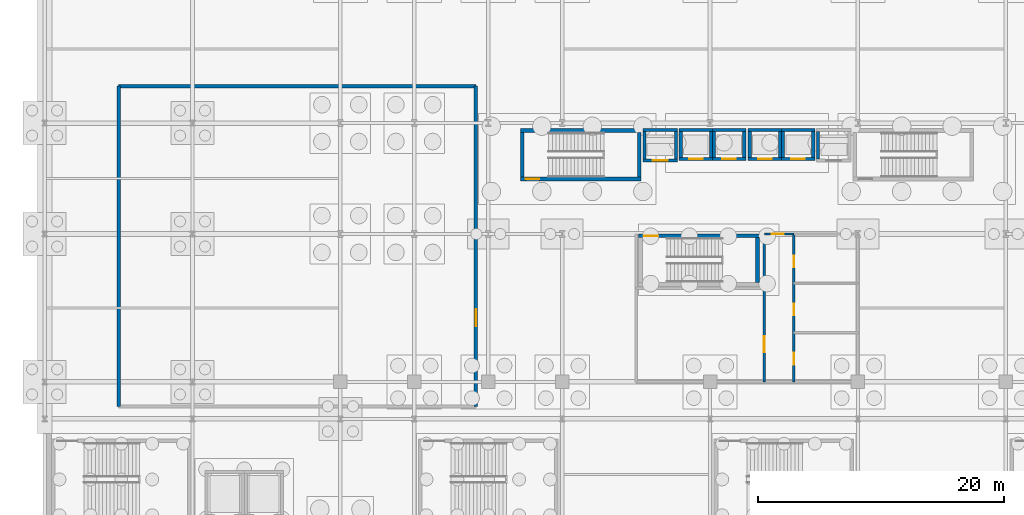
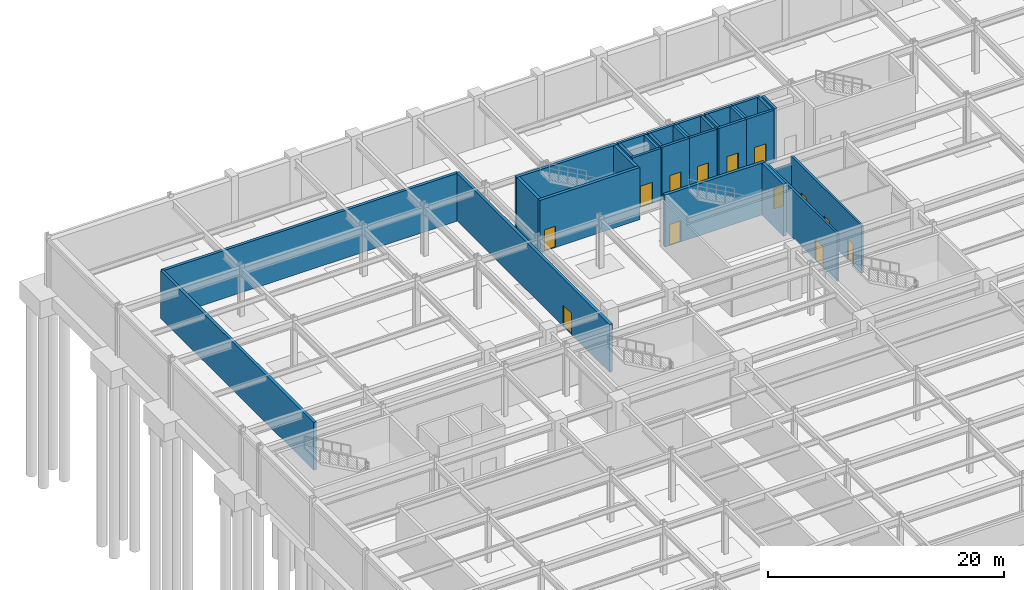
# One storey, part 29 of 47: 33 walls, 13 doors, 13 openings.
"""IFC4 building model written with IfcOpenShell, lengths in metres."""

import ifcopenshell
import ifcopenshell.guid

model = None  # the IFC model being written
_history = None  # IfcOwnerHistory: only IFC2X3 demands one
_inside = {}  # id of a spatial element -> (the spatial element, [elements in it])
_under = {}  # id of a project, library or spatial element -> (it, [spatial elements below it])
_declared = {}  # id of a project -> (the project, [libraries it declares])
_typed = {}  # id of a type object -> (the type object, [elements of that type])
_made_of = {}  # id of a material, layer set ... -> (it, [elements and type objects made of it])


def new_model(schema):
    """Start an empty IFC model of exactly this schema.

    Asked for "IFC4X3", IfcOpenShell would pick the latest addendum, in which some entities
    have other attributes; the version numbers below select the first issue.
    IFC2X3 requires an IfcOwnerHistory on every rooted entity: one is made here for all.
    """
    global model, _history
    if schema == "IFC4X3":
        model = ifcopenshell.file(schema_version=(4, 3, 0, 0))
    else:
        model = ifcopenshell.file(schema=schema)
    _inside.clear()
    _under.clear()
    _declared.clear()
    _typed.clear()
    _made_of.clear()
    _history = None
    if model.schema == "IFC2X3":
        org = make("IfcOrganization", Name="unknown")
        user = make(
            "IfcPersonAndOrganization",
            ThePerson=make("IfcPerson", FamilyName="unknown"),
            TheOrganization=org,
        )
        app = make(
            "IfcApplication",
            ApplicationDeveloper=org,
            Version="unknown",
            ApplicationFullName="unknown",
            ApplicationIdentifier="unknown",
        )
        _history = make(
            "IfcOwnerHistory",
            OwningUser=user,
            OwningApplication=app,
            ChangeAction="ADDED",
            CreationDate=0,
        )
    return model


def make(cls, **values):
    """One entity of the class cls with the attributes given. An attribute that is None is left unset."""
    return model.create_entity(
        cls, **{name: value for name, value in values.items() if value is not None}
    )


def rooted(cls, **values):
    """An entity with a GlobalId (a new one), such as an element, a storey or a relation."""
    return make(cls, GlobalId=ifcopenshell.guid.new(), OwnerHistory=_history, **values)


def si_unit(unit_type, name, prefix=None):
    """IfcSIUnit, for example si_unit("LENGTHUNIT", "METRE", prefix="MILLI")."""
    return make("IfcSIUnit", UnitType=unit_type, Prefix=prefix, Name=name)


def assignment(units):
    """IfcUnitAssignment: the units of a project."""
    return None if units is None else make("IfcUnitAssignment", Units=units)


def point(xyz):
    """IfcCartesianPoint."""
    return None if xyz is None else make("IfcCartesianPoint", Coordinates=xyz)


def direction(xyz):
    """IfcDirection."""
    return None if xyz is None else make("IfcDirection", DirectionRatios=xyz)


def frame(location, z_axis=None, x_axis=None):
    """IfcAxis2Placement3D, a coordinate frame: its origin and axes. An axis left out is left unset."""
    return make(
        "IfcAxis2Placement3D",
        Location=point(location),
        Axis=direction(z_axis),
        RefDirection=direction(x_axis),
    )


def frame_2d(location, x_axis=None):
    """IfcAxis2Placement2D, a coordinate frame in the plane: its origin and x axis."""
    return make(
        "IfcAxis2Placement2D", Location=point(location), RefDirection=direction(x_axis)
    )


def origin():
    """The frame at (0, 0, 0) with its axes left unset."""
    return frame((0.0, 0.0, 0.0))


def place(relative_to, where):
    """IfcLocalPlacement: puts the frame where relative to a parent placement (None: the world)."""
    return make(
        "IfcLocalPlacement", PlacementRelTo=relative_to, RelativePlacement=where
    )


def context(
    kind, dimensions, precision=None, world=None, true_north=None, identifier=None
):
    """IfcGeometricRepresentationContext, for example the 3D "Model" context."""
    return make(
        "IfcGeometricRepresentationContext",
        ContextIdentifier=identifier,
        ContextType=kind,
        CoordinateSpaceDimension=dimensions,
        Precision=precision,
        WorldCoordinateSystem=world,
        TrueNorth=true_north,
    )


def subcontext(parent, identifier, kind, view, scale=None):
    """IfcGeometricRepresentationSubContext, for example "Body" below "Model"."""
    return make(
        "IfcGeometricRepresentationSubContext",
        ContextIdentifier=identifier,
        ContextType=kind,
        ParentContext=parent,
        TargetScale=scale,
        TargetView=view,
    )


def project(units=None, contexts=None):
    """IfcProject with its units and contexts."""
    return rooted(
        "IfcProject",
        Name="project",
        RepresentationContexts=contexts,
        UnitsInContext=assignment(units),
    )


def spatial(cls, under=None, at=None, **own):
    """A site, building, storey or space (cls), placed at a placement, below another one or the project."""
    s = rooted(cls, ObjectPlacement=at, **own)
    if under is not None:
        _under.setdefault(under.id(), (under, []))[1].append(s)
    return s


def profile(cls, at=None, kind="AREA", **sizes):
    """A parametric profile (cls). Its sizes go by their IFC names, for example OverallWidth=200.0."""
    return make(cls, ProfileType=kind, Position=at, **sizes)


def rectangle(**sizes):
    """IfcRectangleProfileDef."""
    return profile("IfcRectangleProfileDef", **sizes)


def extrude(swept, where, along, depth):
    """IfcExtrudedAreaSolid: the profile swept, set in the frame where, extruded along a direction by depth."""
    return make(
        "IfcExtrudedAreaSolid",
        SweptArea=swept,
        Position=where,
        ExtrudedDirection=direction(along),
        Depth=depth,
    )


def shape(context_of_items, identifier, shape_type, items):
    """IfcShapeRepresentation: the items that make up one representation, for example the "Body"."""
    return make(
        "IfcShapeRepresentation",
        ContextOfItems=context_of_items,
        RepresentationIdentifier=identifier,
        RepresentationType=shape_type,
        Items=items,
    )


def material(Name=None, Category=None):
    """IfcMaterial."""
    return make("IfcMaterial", Name=Name, Category=Category)


def layer(
    of_material, thickness, ventilated=None, Name=None, Category=None, Priority=None
):
    """IfcMaterialLayer: one layer of a wall or slab, of a material (None: an air gap)."""
    return make(
        "IfcMaterialLayer",
        Material=of_material,
        LayerThickness=thickness,
        IsVentilated=ventilated,
        Name=Name,
        Category=Category,
        Priority=Priority,
    )


def layer_set(layers, Name=None):
    """IfcMaterialLayerSet."""
    return make("IfcMaterialLayerSet", MaterialLayers=layers, LayerSetName=Name)


def made_of(thing, what):
    """Note that an element or type object is made of a material, layer set ...; save() writes the relation."""
    if what is not None:
        _made_of.setdefault(what.id(), (what, []))[1].append(thing)
    return thing


def type_object(cls, material=None, **own):
    """A type object (cls), such as IfcWallType, which elements share."""
    return made_of(rooted(cls, **own), material)


def element(
    cls,
    number,
    at=None,
    inside=None,
    cuts=None,
    type_object=None,
    material=None,
    context=None,
    identifier="Body",
    shape_type=None,
    held_by="IfcProductDefinitionShape",
    body=None,
    shapes=None,
    **own,
):
    """One element of the class cls, such as IfcWall. Its Tag is "e" and its number.

    at: its placement. inside: the storey or other place that contains it. cuts: it is an
    opening in that element (IfcRelVoidsElement). A single representation is given by context,
    identifier, shape_type and body (its items); several are given by shapes. held_by: the class
    of the entity that holds the representations. save() writes the other relations.
    """
    e = rooted(cls, Tag="e%d" % number, ObjectPlacement=at, **own)
    if body is not None:
        shapes = [shape(context, identifier, shape_type, body)]
    if shapes is not None:
        e.Representation = make(held_by, Representations=shapes)
    if inside is not None:
        _inside.setdefault(inside.id(), (inside, []))[1].append(e)
    if cuts is not None:
        rooted(
            "IfcRelVoidsElement", RelatingBuildingElement=cuts, RelatedOpeningElement=e
        )
    if type_object is not None:
        _typed.setdefault(type_object.id(), (type_object, []))[1].append(e)
    return made_of(e, material)


def fill(opening, filler):
    """IfcRelFillsElement: the door or window that sits in an opening."""
    return rooted(
        "IfcRelFillsElement",
        RelatingOpeningElement=opening,
        RelatedBuildingElement=filler,
    )


def aggregate(whole, parts):
    """IfcRelAggregates: a whole, such as a stair, and the parts it consists of."""
    return rooted("IfcRelAggregates", RelatingObject=whole, RelatedObjects=parts)


def save(model, path):
    """Write the relations noted so far, then the file.

    IfcRelAggregates (storeys below a building ...), IfcRelContainedInSpatialStructure (elements
    in a storey), IfcRelDefinesByType, IfcRelAssociatesMaterial and IfcRelDeclares: one each for
    every whole, place, type object, material and project.
    """
    for whole, parts in _under.values():
        aggregate(whole, parts)
    for where, things in _inside.values():
        rooted(
            "IfcRelContainedInSpatialStructure",
            RelatedElements=things,
            RelatingStructure=where,
        )
    for kind, things in _typed.values():
        rooted("IfcRelDefinesByType", RelatedObjects=things, RelatingType=kind)
    for what, things in _made_of.values():
        rooted("IfcRelAssociatesMaterial", RelatedObjects=things, RelatingMaterial=what)
    for by, libraries in _declared.values():
        rooted("IfcRelDeclares", RelatingContext=by, RelatedDefinitions=libraries)
    model.write(path)


model = new_model("IFC4")

# Units and contexts
model_context = context("Model", 3, precision=1e-05, world=origin(), true_north=direction((0.0, 1.0)))
body_context = subcontext(model_context, "Body", "Model", "MODEL_VIEW")
ifc_project = project(units=[si_unit("LENGTHUNIT", "METRE"), si_unit("AREAUNIT", "SQUARE_METRE"), si_unit("VOLUMEUNIT", "CUBIC_METRE"), si_unit("PLANEANGLEUNIT", "RADIAN"), si_unit("MASSUNIT", "GRAM", prefix="KILO")], contexts=[model_context])

# Site, building, storey
site_placement = place(None, origin())
site = spatial("IfcSite", under=ifc_project, at=site_placement, CompositionType="ELEMENT")
building_placement = place(site_placement, origin())
building = spatial("IfcBuilding", under=site, at=building_placement, Name="Kaldorvane Square Convention Centre", CompositionType="ELEMENT")
storey_placement = place(building_placement, frame((0.0, 0.0, -5.399993896484375)))
storey = spatial("IfcBuildingStorey", under=building, at=storey_placement, Name="B01", CompositionType="ELEMENT", Elevation=-5.399993896484375)

# Wall, opening, door
ifc_material_1 = material(Name="Reinforced Concrete Masonry Acoustic Partition", Category="masonry")
ifc_layer_1 = layer(ifc_material_1, 0.279998779296875)
ifc_layer_set_1 = layer_set([ifc_layer_1], Name="Reinforced Concrete Masonry Acoustic Partition")
wall_type_1 = type_object("IfcWallType", Name="WL-ACO-280", PredefinedType="PARTITIONING", material=ifc_layer_set_1)
wall_1_placement = place(storey_placement, frame((35.0, 82.0, 0.0), z_axis=(0.0, 0.0, 1.0), x_axis=(0.0, 1.0, 0.0)))
wall_1 = element("IfcWall", 1, at=wall_1_placement, inside=storey, type_object=wall_type_1, Name="Hotel Linen and Uniform Laundry Plant E Wall", PredefinedType="PARTITIONING", context=body_context, shape_type="SweptSolid", body=[
    extrude(rectangle(XDim=26.0, YDim=0.279998779296875, at=frame_2d((13.0, 0.0))), origin(), (0.0, 0.0, 1.0), 4.959991455078125),
])
opening_1_placement = place(wall_1_placement, frame((6.5, 0.0, 0.0)))
opening_1 = element("IfcOpeningElement", 2, at=opening_1_placement, cuts=wall_1, Name="Opening ID-08", PredefinedType="OPENING", context=body_context, shape_type="SweptSolid", body=[
    extrude(rectangle(XDim=1.399993896484375, YDim=2.1999969482421875, at=frame_2d((0.6999969482421875, 1.100006103515625))), frame((0.0, 0.154998779296875, 0.0), z_axis=(0.0, -1.0, 0.0), x_axis=(1.0, 0.0, 0.0)), (0.0, 0.0, 1.0), 0.30999755859375),
])
ifc_material_2 = material(Name="Insulated Hollow Metal Steel", Category="steel")
door_type_1 = type_object("IfcDoorType", Name="DR-SVC-1400X2200", OperationType="DOUBLE_DOOR_SINGLE_SWING", PredefinedType="DOOR", material=ifc_material_2)
door_1_placement = place(opening_1_placement, origin())
door_1 = element("IfcDoor", 3, at=door_1_placement, inside=storey, type_object=door_type_1, Name="Hotel Linen and Uniform Laundry Plant Door 1", OperationType="DOUBLE_DOOR_SINGLE_SWING", OverallHeight=2.1999969482421875, OverallWidth=1.399993896484375, PredefinedType="DOOR", context=body_context, shape_type="SweptSolid", body=[
    extrude(rectangle(XDim=1.399993896484375, YDim=2.1999969482421875, at=frame_2d((0.6999969482421875, 1.100006103515625))), frame((0.0, 0.024993896484375, 0.0), z_axis=(0.0, -1.0, 0.0), x_axis=(1.0, 0.0, 0.0)), (0.0, 0.0, 1.0), 0.0500030517578125),
])
fill(opening_1, door_1)

# Walls
wall_2_placement = place(storey_placement, frame((35.0, 108.0, 0.0), z_axis=(0.0, 0.0, 1.0), x_axis=(-1.0, 0.0, 0.0)))
element("IfcWall", 4, at=wall_2_placement, inside=storey, type_object=wall_type_1, Name="Hotel Linen and Uniform Laundry Plant N Wall", PredefinedType="PARTITIONING", context=body_context, shape_type="SweptSolid", body=[
    extrude(rectangle(XDim=29.0, YDim=0.279998779296875, at=frame_2d((14.5, 0.0))), origin(), (0.0, 0.0, 1.0), 4.959991455078125),
])
wall_3_placement = place(storey_placement, frame((6.0, 108.0, 0.0), z_axis=(0.0, 0.0, 1.0), x_axis=(0.0, -1.0, 0.0)))
element("IfcWall", 5, at=wall_3_placement, inside=storey, type_object=wall_type_1, Name="Hotel Linen and Uniform Laundry Plant W Wall", PredefinedType="PARTITIONING", context=body_context, shape_type="SweptSolid", body=[
    extrude(rectangle(XDim=26.0, YDim=0.279998779296875, at=frame_2d((13.0, 0.0))), origin(), (0.0, 0.0, 1.0), 4.959991455078125),
])

# Wall, opening, door
ifc_material_3 = material(Name="Fire-Rated Gypsum Board on Acoustic Steel Studs", Category="steel")
ifc_layer_2 = layer(ifc_material_3, 0.1999969482421875)
ifc_layer_set_2 = layer_set([ifc_layer_2], Name="Fire-Rated Gypsum Board on Acoustic Steel Studs")
wall_type_2 = type_object("IfcWallType", Name="WL-CORR-200", PredefinedType="PARTITIONING", material=ifc_layer_set_2)
wall_4_placement = place(storey_placement, frame((58.399993896484375, 96.0, 0.0), z_axis=(0.0, 0.0, 1.0), x_axis=(1.0, 0.0, 0.0)))
wall_4 = element("IfcWall", 6, at=wall_4_placement, inside=storey, type_object=wall_type_2, Name="Restroom Vestibule Entry Header (B01)", PredefinedType="PARTITIONING", context=body_context, shape_type="SweptSolid", body=[
    extrude(rectangle(XDim=2.4000091552734375, YDim=0.1999969482421875, at=frame_2d((1.20001220703125, 0.0))), origin(), (0.0, 0.0, 1.0), 4.0889892578125),
])
opening_2_placement = place(wall_4_placement, frame((0.625, 0.0, 0.0)))
opening_2 = element("IfcOpeningElement", 7, at=opening_2_placement, cuts=wall_4, Name="Opening ID-13", PredefinedType="OPENING", context=body_context, shape_type="SweptSolid", body=[
    extrude(rectangle(XDim=0.9499969482421875, YDim=2.149993896484375, at=frame_2d((0.475006103515625, 1.0749969482421875))), frame((0.0, 0.114990234375, 0.0), z_axis=(0.0, -1.0, 0.0), x_axis=(1.0, 0.0, 0.0)), (0.0, 0.0, 1.0), 0.2299957275390625),
])
ifc_material_4 = material(Name="Architectural Solid-Core White Oak")
door_type_2 = type_object("IfcDoorType", Name="DR-WC-0950X2150", OperationType="SINGLE_SWING_LEFT", PredefinedType="DOOR", material=ifc_material_4)
door_2_placement = place(opening_2_placement, origin())
door_2 = element("IfcDoor", 8, at=door_2_placement, inside=storey, type_object=door_type_2, Name="Restroom Vestibule Door (B01)", OperationType="SINGLE_SWING_LEFT", OverallHeight=2.149993896484375, OverallWidth=0.9499969482421875, PredefinedType="DOOR", context=body_context, shape_type="SweptSolid", body=[
    extrude(rectangle(XDim=0.9499969482421875, YDim=2.149993896484375, at=frame_2d((0.475006103515625, 1.0749969482421875))), frame((0.0, 0.024993896484375, 0.0), z_axis=(0.0, -1.0, 0.0), x_axis=(1.0, 0.0, 0.0)), (0.0, 0.0, 1.0), 0.0500030517578125),
])
fill(opening_2, door_2)

wall_5_placement = place(storey_placement, frame((58.399993896484375, 84.0, 0.0), z_axis=(0.0, 0.0, 1.0), x_axis=(0.0, 1.0, 0.0)))
wall_5 = element("IfcWall", 9, at=wall_5_placement, inside=storey, type_object=wall_type_2, Name="Restroom Vestibule West Wall (B01)", PredefinedType="PARTITIONING", context=body_context, shape_type="SweptSolid", body=[
    extrude(rectangle(XDim=12.0, YDim=0.1999969482421875, at=frame_2d((6.0, 0.0))), origin(), (0.0, 0.0, 1.0), 4.959991455078125),
])
opening_3_placement = place(wall_5_placement, frame((2.399993896484375, 0.0, 0.0)))
opening_3 = element("IfcOpeningElement", 10, at=opening_3_placement, cuts=wall_5, Name="Opening ID-09", PredefinedType="OPENING", context=body_context, shape_type="SweptSolid", body=[
    extrude(rectangle(XDim=1.3000030517578125, YDim=2.1999969482421875, at=frame_2d((0.649993896484375, 1.100006103515625))), frame((0.0, 0.114990234375, 0.0), z_axis=(0.0, -1.0, 0.0), x_axis=(1.0, 0.0, 0.0)), (0.0, 0.0, 1.0), 0.2299957275390625),
])
door_type_3 = type_object("IfcDoorType", Name="DR-SVC-1300X2200", OperationType="DOUBLE_DOOR_SINGLE_SWING", PredefinedType="DOOR", material=ifc_material_2)
door_3_placement = place(opening_3_placement, origin())
door_3 = element("IfcDoor", 11, at=door_3_placement, inside=storey, type_object=door_type_3, Name="Janitor and Service Closet (B01) Door", OperationType="DOUBLE_DOOR_SINGLE_SWING", OverallHeight=2.1999969482421875, OverallWidth=1.3000030517578125, PredefinedType="DOOR", context=body_context, shape_type="SweptSolid", body=[
    extrude(rectangle(XDim=1.3000030517578125, YDim=2.1999969482421875, at=frame_2d((0.649993896484375, 1.100006103515625))), frame((0.0, 0.024993896484375, 0.0), z_axis=(0.0, -1.0, 0.0), x_axis=(1.0, 0.0, 0.0)), (0.0, 0.0, 1.0), 0.0500030517578125),
])
fill(opening_3, door_3)

# Wall, openings, doors
wall_6_placement = place(storey_placement, frame((60.80000305175781, 84.0, 0.0), z_axis=(0.0, 0.0, 1.0), x_axis=(0.0, 1.0, 0.0)))
wall_6 = element("IfcWall", 12, at=wall_6_placement, inside=storey, type_object=wall_type_2, Name="Restroom Vestibule East Wall (B01)", PredefinedType="PARTITIONING", context=body_context, shape_type="SweptSolid", body=[
    extrude(rectangle(XDim=12.0, YDim=0.1999969482421875, at=frame_2d((6.0, 0.0))), origin(), (0.0, 0.0, 1.0), 4.959991455078125),
])
opening_4_placement = place(wall_6_placement, frame((1.399993896484375, 0.0, 0.0)))
opening_4 = element("IfcOpeningElement", 13, at=opening_4_placement, cuts=wall_6, Name="Opening ID-13", PredefinedType="OPENING", context=body_context, shape_type="SweptSolid", body=[
    extrude(rectangle(XDim=0.9499969482421875, YDim=2.149993896484375, at=frame_2d((0.475006103515625, 1.0749969482421875))), frame((0.0, 0.114990234375, 0.0), z_axis=(0.0, -1.0, 0.0), x_axis=(1.0, 0.0, 0.0)), (0.0, 0.0, 1.0), 0.2299957275390625),
])
opening_5_placement = place(wall_6_placement, frame((5.399993896484375, 0.0, 0.0)))
opening_5 = element("IfcOpeningElement", 14, at=opening_5_placement, cuts=wall_6, Name="Opening ID-13", PredefinedType="OPENING", context=body_context, shape_type="SweptSolid", body=[
    extrude(rectangle(XDim=0.9499969482421875, YDim=2.149993896484375, at=frame_2d((0.475006103515625, 1.0749969482421875))), frame((0.0, 0.114990234375, 0.0), z_axis=(0.0, -1.0, 0.0), x_axis=(1.0, 0.0, 0.0)), (0.0, 0.0, 1.0), 0.2299957275390625),
])
opening_6_placement = place(wall_6_placement, frame((9.300003051757812, 0.0, 0.0)))
opening_6 = element("IfcOpeningElement", 15, at=opening_6_placement, cuts=wall_6, Name="Opening ID-13", PredefinedType="OPENING", context=body_context, shape_type="SweptSolid", body=[
    extrude(rectangle(XDim=0.9499969482421875, YDim=2.149993896484375, at=frame_2d((0.475006103515625, 1.0749969482421875))), frame((0.0, 0.114990234375, 0.0), z_axis=(0.0, -1.0, 0.0), x_axis=(1.0, 0.0, 0.0)), (0.0, 0.0, 1.0), 0.2299957275390625),
])
door_4_placement = place(opening_4_placement, origin())
door_4 = element("IfcDoor", 16, at=door_4_placement, inside=storey, type_object=door_type_2, Name="Accessible Restroom Door (B01)", OperationType="SINGLE_SWING_LEFT", OverallHeight=2.149993896484375, OverallWidth=0.9499969482421875, PredefinedType="DOOR", context=body_context, shape_type="SweptSolid", body=[
    extrude(rectangle(XDim=0.9499969482421875, YDim=2.149993896484375, at=frame_2d((0.475006103515625, 1.0749969482421875))), frame((0.0, 0.024993896484375, 0.0), z_axis=(0.0, -1.0, 0.0), x_axis=(1.0, 0.0, 0.0)), (0.0, 0.0, 1.0), 0.0500030517578125),
])
fill(opening_4, door_4)
door_5_placement = place(opening_5_placement, origin())
door_5 = element("IfcDoor", 17, at=door_5_placement, inside=storey, type_object=door_type_2, Name="Men's Restroom Door (B01)", OperationType="SINGLE_SWING_LEFT", OverallHeight=2.149993896484375, OverallWidth=0.9499969482421875, PredefinedType="DOOR", context=body_context, shape_type="SweptSolid", body=[
    extrude(rectangle(XDim=0.9499969482421875, YDim=2.149993896484375, at=frame_2d((0.475006103515625, 1.0749969482421875))), frame((0.0, 0.024993896484375, 0.0), z_axis=(0.0, -1.0, 0.0), x_axis=(1.0, 0.0, 0.0)), (0.0, 0.0, 1.0), 0.0500030517578125),
])
fill(opening_5, door_5)
door_6_placement = place(opening_6_placement, origin())
door_6 = element("IfcDoor", 18, at=door_6_placement, inside=storey, type_object=door_type_2, Name="Women's Restroom Door (B01)", OperationType="SINGLE_SWING_LEFT", OverallHeight=2.149993896484375, OverallWidth=0.9499969482421875, PredefinedType="DOOR", context=body_context, shape_type="SweptSolid", body=[
    extrude(rectangle(XDim=0.9499969482421875, YDim=2.149993896484375, at=frame_2d((0.475006103515625, 1.0749969482421875))), frame((0.0, 0.024993896484375, 0.0), z_axis=(0.0, -1.0, 0.0), x_axis=(1.0, 0.0, 0.0)), (0.0, 0.0, 1.0), 0.0500030517578125),
])
fill(opening_6, door_6)

# Wall, opening, door
ifc_material_5 = material(Name="Concrete f'c = 55 MPa (Normalweight)", Category="concrete")
ifc_layer_3 = layer(ifc_material_5, 0.3000030517578125)
ifc_layer_set_3 = layer_set([ifc_layer_3], Name="Concrete f'c = 55 MPa (Normalweight)")
wall_type_3 = type_object("IfcWallType", Name="WL-SHAFT-300", PredefinedType="SHEAR", material=ifc_layer_set_3)
wall_7_placement = place(storey_placement, frame((38.600006103515625, 100.46000671386719, 0.0), z_axis=(0.0, 0.0, 1.0), x_axis=(1.0, 0.0, 0.0)))
wall_7 = element("IfcWall", 19, at=wall_7_placement, inside=storey, type_object=wall_type_3, Name="Core Enclosure Wall stair:ST-T1-S (B01)", PredefinedType="SHEAR", context=body_context, shape_type="SweptSolid", body=[
    extrude(rectangle(XDim=9.79998779296875, YDim=0.3000030517578125, at=frame_2d((4.899993896484375, 0.0))), origin(), (0.0, 0.0, 1.0), 5.399993896484375),
])
opening_7_placement = place(wall_7_placement, frame((0.4499969482421875, 0.0, 0.0)))
opening_7 = element("IfcOpeningElement", 20, at=opening_7_placement, cuts=wall_7, Name="Opening FD90-S1", PredefinedType="OPENING", context=body_context, shape_type="SweptSolid", body=[
    extrude(rectangle(XDim=1.100006103515625, YDim=2.1999969482421875, at=frame_2d((0.5500030517578125, 1.100006103515625))), frame((0.0, 0.165008544921875, 0.0), z_axis=(0.0, -1.0, 0.0), x_axis=(1.0, 0.0, 0.0)), (0.0, 0.0, 1.0), 0.3300018310546875),
])
ifc_material_6 = material(Name="Fire-Rated Hollow Metal Steel", Category="steel")
door_type_4 = type_object("IfcDoorType", Name="DR-STAIR-1100", OperationType="SINGLE_SWING_RIGHT", PredefinedType="DOOR", material=ifc_material_6)
door_7_placement = place(opening_7_placement, origin())
door_7 = element("IfcDoor", 21, at=door_7_placement, inside=storey, type_object=door_type_4, Name="Tower Exit Stair T1 Fire Door (B01)", OperationType="SINGLE_SWING_RIGHT", OverallHeight=2.1999969482421875, OverallWidth=1.100006103515625, PredefinedType="DOOR", context=body_context, shape_type="SweptSolid", body=[
    extrude(rectangle(XDim=1.100006103515625, YDim=2.1999969482421875, at=frame_2d((0.5500030517578125, 1.100006103515625))), frame((0.0, 0.024993896484375, 0.0), z_axis=(0.0, -1.0, 0.0), x_axis=(1.0, 0.0, 0.0)), (0.0, 0.0, 1.0), 0.0500030517578125),
])
fill(opening_7, door_7)

# Walls
wall_8_placement = place(storey_placement, frame((48.399993896484375, 104.39999389648438, 0.0), z_axis=(0.0, 0.0, 1.0), x_axis=(-1.0, 0.0, 0.0)))
element("IfcWall", 22, at=wall_8_placement, inside=storey, type_object=wall_type_3, Name="Core Enclosure Wall stair:ST-T1-N (B01)", PredefinedType="SHEAR", context=body_context, shape_type="SweptSolid", body=[
    extrude(rectangle(XDim=9.79998779296875, YDim=0.3000030517578125, at=frame_2d((4.899993896484375, 0.0))), origin(), (0.0, 0.0, 1.0), 5.399993896484375),
])
for number, where, z_axis, x_axis, name in (
    (23, (38.75, 104.25, 0.0), (0.0, 0.0, 1.0), (0.0, -1.0, 0.0), "Core Enclosure Wall stair:ST-T1-W (B01)"),
    (24, (48.25, 100.61000061035156, 0.0), (0.0, 0.0, 1.0), (0.0, 1.0, 0.0), "Core Enclosure Wall stair:ST-T1-E (B01)"),
):
    element("IfcWall", number, at=place(storey_placement, frame(where, z_axis=z_axis, x_axis=x_axis)), inside=storey, type_object=wall_type_3, Name=name, PredefinedType="SHEAR", context=body_context, shape_type="SweptSolid", body=[
        extrude(rectangle(XDim=3.6399993896484375, YDim=0.3000030517578125, at=frame_2d((1.82000732421875, 0.0))), origin(), (0.0, 0.0, 1.0), 5.399993896484375),
    ])

# Wall, opening, door
wall_9_placement = place(storey_placement, frame((58.0, 95.85000610351562, 0.0), z_axis=(0.0, 0.0, 1.0), x_axis=(-1.0, 0.0, 0.0)))
wall_9 = element("IfcWall", 25, at=wall_9_placement, inside=storey, type_object=wall_type_3, Name="Core Enclosure Wall stair:ST-T3-N (B01)", PredefinedType="SHEAR", context=body_context, shape_type="SweptSolid", body=[
    extrude(rectangle(XDim=9.800003051757812, YDim=0.3000030517578125, at=frame_2d((4.899993896484375, 0.0))), origin(), (0.0, 0.0, 1.0), 5.399993896484375),
])
opening_8_placement = place(wall_9_placement, frame((8.25, 0.0, 0.0)))
opening_8 = element("IfcOpeningElement", 26, at=opening_8_placement, cuts=wall_9, Name="Opening FD90-S1", PredefinedType="OPENING", context=body_context, shape_type="SweptSolid", body=[
    extrude(rectangle(XDim=1.100006103515625, YDim=2.1999969482421875, at=frame_2d((0.5500030517578125, 1.100006103515625))), frame((0.0, 0.165008544921875, 0.0), z_axis=(0.0, -1.0, 0.0), x_axis=(1.0, 0.0, 0.0)), (0.0, 0.0, 1.0), 0.3300018310546875),
])
door_8_placement = place(opening_8_placement, origin())
door_8 = element("IfcDoor", 27, at=door_8_placement, inside=storey, type_object=door_type_4, Name="Tower Exit Stair T3 Fire Door (B01)", OperationType="SINGLE_SWING_RIGHT", OverallHeight=2.1999969482421875, OverallWidth=1.100006103515625, PredefinedType="DOOR", context=body_context, shape_type="SweptSolid", body=[
    extrude(rectangle(XDim=1.100006103515625, YDim=2.1999969482421875, at=frame_2d((0.5500030517578125, 1.100006103515625))), frame((0.0, 0.024993896484375, 0.0), z_axis=(0.0, -1.0, 0.0), x_axis=(1.0, 0.0, 0.0)), (0.0, 0.0, 1.0), 0.0500030517578125),
])
fill(opening_8, door_8)

# Wall
wall_10_placement = place(storey_placement, frame((57.850006103515625, 92.05999755859375, 0.0), z_axis=(0.0, 0.0, 1.0), x_axis=(0.0, 1.0, 0.0)))
element("IfcWall", 28, at=wall_10_placement, inside=storey, type_object=wall_type_3, Name="Core Enclosure Wall stair:ST-T3-E (B01)", PredefinedType="SHEAR", context=body_context, shape_type="SweptSolid", body=[
    extrude(rectangle(XDim=3.6399993896484375, YDim=0.3000030517578125, at=frame_2d((1.82000732421875, 0.0))), origin(), (0.0, 0.0, 1.0), 5.399993896484375),
])

# Wall, opening, door
wall_11_placement = place(storey_placement, frame((48.55000305175781, 101.97500610351562, 0.0), z_axis=(0.0, 0.0, 1.0), x_axis=(1.0, 0.0, 0.0)))
wall_11 = element("IfcWall", 29, at=wall_11_placement, inside=storey, type_object=wall_type_3, Name="Core Enclosure Wall lift:FSAE-01-S (B01)", PredefinedType="SHEAR", context=body_context, shape_type="SweptSolid", body=[
    extrude(rectangle(XDim=2.8000030517578125, YDim=0.25, at=frame_2d((1.399993896484375, 0.0))), origin(), (0.0, 0.0, 1.0), 5.399993896484375),
])
opening_9_placement = place(wall_11_placement, frame((0.8000030517578125, 0.0, 0.0)))
opening_9 = element("IfcOpeningElement", 30, at=opening_9_placement, cuts=wall_11, Name="Opening LD-02", PredefinedType="OPENING", context=body_context, shape_type="SweptSolid", body=[
    extrude(rectangle(XDim=1.1999969482421875, YDim=2.1999969482421875, at=frame_2d((0.600006103515625, 1.100006103515625))), frame((0.0, 0.1399993896484375, 0.0), z_axis=(0.0, -1.0, 0.0), x_axis=(1.0, 0.0, 0.0)), (0.0, 0.0, 1.0), 0.279998779296875),
])
ifc_material_7 = material(Name="Stainless Steel Elevator Door Assembly", Category="steel")
door_type_5 = type_object("IfcDoorType", Name="DR-LIFT-1200", OperationType="DOUBLE_DOOR_SLIDING", PredefinedType="DOOR", material=ifc_material_7)
door_9_placement = place(opening_9_placement, origin())
door_9 = element("IfcDoor", 31, at=door_9_placement, inside=storey, type_object=door_type_5, Name="Elevator Landing Door FSAE-01 (B01)", OperationType="DOUBLE_DOOR_SLIDING", OverallHeight=2.1999969482421875, OverallWidth=1.1999969482421875, PredefinedType="DOOR", context=body_context, shape_type="SweptSolid", body=[
    extrude(rectangle(XDim=1.1999969482421875, YDim=2.1999969482421875, at=frame_2d((0.600006103515625, 1.100006103515625))), frame((0.0, 0.024993896484375, 0.0), z_axis=(0.0, -1.0, 0.0), x_axis=(1.0, 0.0, 0.0)), (0.0, 0.0, 1.0), 0.0500030517578125),
])
fill(opening_9, door_9)

# Walls
wall_12_placement = place(storey_placement, frame((51.350006103515625, 104.42500305175781, 0.0), z_axis=(0.0, 0.0, 1.0), x_axis=(-1.0, 0.0, 0.0)))
element("IfcWall", 32, at=wall_12_placement, inside=storey, type_object=wall_type_3, Name="Core Enclosure Wall lift:FSAE-01-N (B01)", PredefinedType="SHEAR", context=body_context, shape_type="SweptSolid", body=[
    extrude(rectangle(XDim=2.8000030517578125, YDim=0.25, at=frame_2d((1.399993896484375, 0.0))), origin(), (0.0, 0.0, 1.0), 5.399993896484375),
])
for number, where, z_axis, x_axis, name in (
    (33, (48.67500305175781, 104.30000305175781, 0.0), (0.0, 0.0, 1.0), (0.0, -1.0, 0.0), "Core Enclosure Wall lift:FSAE-01-W (B01)"),
    (34, (51.225006103515625, 102.10000610351562, 0.0), (0.0, 0.0, 1.0), (0.0, 1.0, 0.0), "Core Enclosure Wall lift:FSAE-01-E (B01)"),
    (35, (62.774993896484375, 104.30000305175781, 0.0), (0.0, 0.0, 1.0), (0.0, -1.0, 0.0), "Core Enclosure Wall lift:FSAE-02-W (B01)"),
):
    element("IfcWall", number, at=place(storey_placement, frame(where, z_axis=z_axis, x_axis=x_axis)), inside=storey, type_object=wall_type_3, Name=name, PredefinedType="SHEAR", context=body_context, shape_type="SweptSolid", body=[
        extrude(rectangle(XDim=2.1999969482421875, YDim=0.25, at=frame_2d((1.100006103515625, 0.0))), origin(), (0.0, 0.0, 1.0), 5.399993896484375),
    ])

# Wall, opening, door
wall_13_placement = place(storey_placement, frame((51.5, 102.07499694824219, 0.0), z_axis=(0.0, 0.0, 1.0), x_axis=(1.0, 0.0, 0.0)))
wall_13 = element("IfcWall", 36, at=wall_13_placement, inside=storey, type_object=wall_type_3, Name="Core Enclosure Wall lift:EL-P1-S (B01)", PredefinedType="SHEAR", context=body_context, shape_type="SweptSolid", body=[
    extrude(rectangle(XDim=2.6999969482421875, YDim=0.25, at=frame_2d((1.350006103515625, 0.0))), origin(), (0.0, 0.0, 1.0), 5.399993896484375),
])
opening_10_placement = place(wall_13_placement, frame((0.8000030517578125, 0.0, 0.0)))
opening_10 = element("IfcOpeningElement", 37, at=opening_10_placement, cuts=wall_13, Name="Opening LD-01", PredefinedType="OPENING", context=body_context, shape_type="SweptSolid", body=[
    extrude(rectangle(XDim=1.100006103515625, YDim=2.1999969482421875, at=frame_2d((0.5500030517578125, 1.100006103515625))), frame((0.0, 0.1399993896484375, 0.0), z_axis=(0.0, -1.0, 0.0), x_axis=(1.0, 0.0, 0.0)), (0.0, 0.0, 1.0), 0.279998779296875),
])
door_type_6 = type_object("IfcDoorType", Name="DR-LIFT-1100", OperationType="DOUBLE_DOOR_SLIDING", PredefinedType="DOOR", material=ifc_material_7)
door_10_placement = place(opening_10_placement, origin())
door_10 = element("IfcDoor", 38, at=door_10_placement, inside=storey, type_object=door_type_6, Name="Elevator Landing Door EL-P1 (B01)", OperationType="DOUBLE_DOOR_SLIDING", OverallHeight=2.1999969482421875, OverallWidth=1.100006103515625, PredefinedType="DOOR", context=body_context, shape_type="SweptSolid", body=[
    extrude(rectangle(XDim=1.100006103515625, YDim=2.1999969482421875, at=frame_2d((0.5500030517578125, 1.100006103515625))), frame((0.0, 0.024993896484375, 0.0), z_axis=(0.0, -1.0, 0.0), x_axis=(1.0, 0.0, 0.0)), (0.0, 0.0, 1.0), 0.0500030517578125),
])
fill(opening_10, door_10)

# Walls
wall_14_placement = place(storey_placement, frame((54.19999694824219, 104.42500305175781, 0.0), z_axis=(0.0, 0.0, 1.0), x_axis=(-1.0, 0.0, 0.0)))
element("IfcWall", 39, at=wall_14_placement, inside=storey, type_object=wall_type_3, Name="Core Enclosure Wall lift:EL-P1-N (B01)", PredefinedType="SHEAR", context=body_context, shape_type="SweptSolid", body=[
    extrude(rectangle(XDim=2.6999969482421875, YDim=0.25, at=frame_2d((1.350006103515625, 0.0))), origin(), (0.0, 0.0, 1.0), 5.399993896484375),
])
for number, where, z_axis, x_axis, name in (
    (40, (51.625, 104.30000305175781, 0.0), (0.0, 0.0, 1.0), (0.0, -1.0, 0.0), "Core Enclosure Wall lift:EL-P1-W (B01)"),
    (41, (54.07499694824219, 102.19999694824219, 0.0), (0.0, 0.0, 1.0), (0.0, 1.0, 0.0), "Core Enclosure Wall lift:EL-P1-E (B01)"),
):
    element("IfcWall", number, at=place(storey_placement, frame(where, z_axis=z_axis, x_axis=x_axis)), inside=storey, type_object=wall_type_3, Name=name, PredefinedType="SHEAR", context=body_context, shape_type="SweptSolid", body=[
        extrude(rectangle(XDim=2.100006103515625, YDim=0.25, at=frame_2d((1.0500030517578125, 0.0))), origin(), (0.0, 0.0, 1.0), 5.399993896484375),
    ])

# Wall, opening, door
wall_15_placement = place(storey_placement, frame((54.19999694824219, 102.07499694824219, 0.0), z_axis=(0.0, 0.0, 1.0), x_axis=(1.0, 0.0, 0.0)))
wall_15 = element("IfcWall", 42, at=wall_15_placement, inside=storey, type_object=wall_type_3, Name="Core Enclosure Wall lift:EL-P2-S (B01)", PredefinedType="SHEAR", context=body_context, shape_type="SweptSolid", body=[
    extrude(rectangle(XDim=2.6999969482421875, YDim=0.25, at=frame_2d((1.350006103515625, 0.0))), origin(), (0.0, 0.0, 1.0), 5.399993896484375),
])
opening_11_placement = place(wall_15_placement, frame((0.8000030517578125, 0.0, 0.0)))
opening_11 = element("IfcOpeningElement", 43, at=opening_11_placement, cuts=wall_15, Name="Opening LD-01", PredefinedType="OPENING", context=body_context, shape_type="SweptSolid", body=[
    extrude(rectangle(XDim=1.100006103515625, YDim=2.1999969482421875, at=frame_2d((0.5500030517578125, 1.100006103515625))), frame((0.0, 0.1399993896484375, 0.0), z_axis=(0.0, -1.0, 0.0), x_axis=(1.0, 0.0, 0.0)), (0.0, 0.0, 1.0), 0.279998779296875),
])
door_11_placement = place(opening_11_placement, origin())
door_11 = element("IfcDoor", 44, at=door_11_placement, inside=storey, type_object=door_type_6, Name="Elevator Landing Door EL-P2 (B01)", OperationType="DOUBLE_DOOR_SLIDING", OverallHeight=2.1999969482421875, OverallWidth=1.100006103515625, PredefinedType="DOOR", context=body_context, shape_type="SweptSolid", body=[
    extrude(rectangle(XDim=1.100006103515625, YDim=2.1999969482421875, at=frame_2d((0.5500030517578125, 1.100006103515625))), frame((0.0, 0.024993896484375, 0.0), z_axis=(0.0, -1.0, 0.0), x_axis=(1.0, 0.0, 0.0)), (0.0, 0.0, 1.0), 0.0500030517578125),
])
fill(opening_11, door_11)

# Walls
wall_16_placement = place(storey_placement, frame((56.899993896484375, 104.42500305175781, 0.0), z_axis=(0.0, 0.0, 1.0), x_axis=(-1.0, 0.0, 0.0)))
element("IfcWall", 45, at=wall_16_placement, inside=storey, type_object=wall_type_3, Name="Core Enclosure Wall lift:EL-P2-N (B01)", PredefinedType="SHEAR", context=body_context, shape_type="SweptSolid", body=[
    extrude(rectangle(XDim=2.6999969482421875, YDim=0.25, at=frame_2d((1.350006103515625, 0.0))), origin(), (0.0, 0.0, 1.0), 5.399993896484375),
])
for number, where, z_axis, x_axis, name in (
    (46, (54.32499694824219, 104.30000305175781, 0.0), (0.0, 0.0, 1.0), (0.0, -1.0, 0.0), "Core Enclosure Wall lift:EL-P2-W (B01)"),
    (47, (56.774993896484375, 102.19999694824219, 0.0), (0.0, 0.0, 1.0), (0.0, 1.0, 0.0), "Core Enclosure Wall lift:EL-P2-E (B01)"),
):
    element("IfcWall", number, at=place(storey_placement, frame(where, z_axis=z_axis, x_axis=x_axis)), inside=storey, type_object=wall_type_3, Name=name, PredefinedType="SHEAR", context=body_context, shape_type="SweptSolid", body=[
        extrude(rectangle(XDim=2.100006103515625, YDim=0.25, at=frame_2d((1.0500030517578125, 0.0))), origin(), (0.0, 0.0, 1.0), 5.399993896484375),
    ])

# Wall, opening, door
wall_17_placement = place(storey_placement, frame((57.100006103515625, 102.07499694824219, 0.0), z_axis=(0.0, 0.0, 1.0), x_axis=(1.0, 0.0, 0.0)))
wall_17 = element("IfcWall", 48, at=wall_17_placement, inside=storey, type_object=wall_type_3, Name="Core Enclosure Wall lift:EL-P3-S (B01)", PredefinedType="SHEAR", context=body_context, shape_type="SweptSolid", body=[
    extrude(rectangle(XDim=2.6999969482421875, YDim=0.25, at=frame_2d((1.350006103515625, 0.0))), origin(), (0.0, 0.0, 1.0), 5.399993896484375),
])
opening_12_placement = place(wall_17_placement, frame((0.8000030517578125, 0.0, 0.0)))
opening_12 = element("IfcOpeningElement", 49, at=opening_12_placement, cuts=wall_17, Name="Opening LD-01", PredefinedType="OPENING", context=body_context, shape_type="SweptSolid", body=[
    extrude(rectangle(XDim=1.100006103515625, YDim=2.1999969482421875, at=frame_2d((0.5500030517578125, 1.100006103515625))), frame((0.0, 0.1399993896484375, 0.0), z_axis=(0.0, -1.0, 0.0), x_axis=(1.0, 0.0, 0.0)), (0.0, 0.0, 1.0), 0.279998779296875),
])
door_12_placement = place(opening_12_placement, origin())
door_12 = element("IfcDoor", 50, at=door_12_placement, inside=storey, type_object=door_type_6, Name="Elevator Landing Door EL-P3 (B01)", OperationType="DOUBLE_DOOR_SLIDING", OverallHeight=2.1999969482421875, OverallWidth=1.100006103515625, PredefinedType="DOOR", context=body_context, shape_type="SweptSolid", body=[
    extrude(rectangle(XDim=1.100006103515625, YDim=2.1999969482421875, at=frame_2d((0.5500030517578125, 1.100006103515625))), frame((0.0, 0.024993896484375, 0.0), z_axis=(0.0, -1.0, 0.0), x_axis=(1.0, 0.0, 0.0)), (0.0, 0.0, 1.0), 0.0500030517578125),
])
fill(opening_12, door_12)

# Walls
wall_18_placement = place(storey_placement, frame((59.80000305175781, 104.42500305175781, 0.0), z_axis=(0.0, 0.0, 1.0), x_axis=(-1.0, 0.0, 0.0)))
element("IfcWall", 51, at=wall_18_placement, inside=storey, type_object=wall_type_3, Name="Core Enclosure Wall lift:EL-P3-N (B01)", PredefinedType="SHEAR", context=body_context, shape_type="SweptSolid", body=[
    extrude(rectangle(XDim=2.6999969482421875, YDim=0.25, at=frame_2d((1.350006103515625, 0.0))), origin(), (0.0, 0.0, 1.0), 5.399993896484375),
])
for number, where, z_axis, x_axis, name in (
    (52, (57.225006103515625, 104.30000305175781, 0.0), (0.0, 0.0, 1.0), (0.0, -1.0, 0.0), "Core Enclosure Wall lift:EL-P3-W (B01)"),
    (53, (59.67500305175781, 102.19999694824219, 0.0), (0.0, 0.0, 1.0), (0.0, 1.0, 0.0), "Core Enclosure Wall lift:EL-P3-E (B01)"),
):
    element("IfcWall", number, at=place(storey_placement, frame(where, z_axis=z_axis, x_axis=x_axis)), inside=storey, type_object=wall_type_3, Name=name, PredefinedType="SHEAR", context=body_context, shape_type="SweptSolid", body=[
        extrude(rectangle(XDim=2.100006103515625, YDim=0.25, at=frame_2d((1.0500030517578125, 0.0))), origin(), (0.0, 0.0, 1.0), 5.399993896484375),
    ])

# Wall, opening, door
wall_19_placement = place(storey_placement, frame((59.80000305175781, 102.07499694824219, 0.0), z_axis=(0.0, 0.0, 1.0), x_axis=(1.0, 0.0, 0.0)))
wall_19 = element("IfcWall", 54, at=wall_19_placement, inside=storey, type_object=wall_type_3, Name="Core Enclosure Wall lift:EL-P4-S (B01)", PredefinedType="SHEAR", context=body_context, shape_type="SweptSolid", body=[
    extrude(rectangle(XDim=2.6999969482421875, YDim=0.25, at=frame_2d((1.350006103515625, 0.0))), origin(), (0.0, 0.0, 1.0), 5.399993896484375),
])
opening_13_placement = place(wall_19_placement, frame((0.8000030517578125, 0.0, 0.0)))
opening_13 = element("IfcOpeningElement", 55, at=opening_13_placement, cuts=wall_19, Name="Opening LD-01", PredefinedType="OPENING", context=body_context, shape_type="SweptSolid", body=[
    extrude(rectangle(XDim=1.100006103515625, YDim=2.1999969482421875, at=frame_2d((0.5500030517578125, 1.100006103515625))), frame((0.0, 0.1399993896484375, 0.0), z_axis=(0.0, -1.0, 0.0), x_axis=(1.0, 0.0, 0.0)), (0.0, 0.0, 1.0), 0.279998779296875),
])
door_13_placement = place(opening_13_placement, origin())
door_13 = element("IfcDoor", 56, at=door_13_placement, inside=storey, type_object=door_type_6, Name="Elevator Landing Door EL-P4 (B01)", OperationType="DOUBLE_DOOR_SLIDING", OverallHeight=2.1999969482421875, OverallWidth=1.100006103515625, PredefinedType="DOOR", context=body_context, shape_type="SweptSolid", body=[
    extrude(rectangle(XDim=1.100006103515625, YDim=2.1999969482421875, at=frame_2d((0.5500030517578125, 1.100006103515625))), frame((0.0, 0.024993896484375, 0.0), z_axis=(0.0, -1.0, 0.0), x_axis=(1.0, 0.0, 0.0)), (0.0, 0.0, 1.0), 0.0500030517578125),
])
fill(opening_13, door_13)

# Walls
wall_20_placement = place(storey_placement, frame((62.5, 104.42500305175781, 0.0), z_axis=(0.0, 0.0, 1.0), x_axis=(-1.0, 0.0, 0.0)))
element("IfcWall", 57, at=wall_20_placement, inside=storey, type_object=wall_type_3, Name="Core Enclosure Wall lift:EL-P4-N (B01)", PredefinedType="SHEAR", context=body_context, shape_type="SweptSolid", body=[
    extrude(rectangle(XDim=2.6999969482421875, YDim=0.25, at=frame_2d((1.350006103515625, 0.0))), origin(), (0.0, 0.0, 1.0), 5.399993896484375),
])
for number, where, z_axis, x_axis, name in (
    (58, (59.92500305175781, 104.30000305175781, 0.0), (0.0, 0.0, 1.0), (0.0, -1.0, 0.0), "Core Enclosure Wall lift:EL-P4-W (B01)"),
    (59, (62.375, 102.19999694824219, 0.0), (0.0, 0.0, 1.0), (0.0, 1.0, 0.0), "Core Enclosure Wall lift:EL-P4-E (B01)"),
):
    element("IfcWall", number, at=place(storey_placement, frame(where, z_axis=z_axis, x_axis=x_axis)), inside=storey, type_object=wall_type_3, Name=name, PredefinedType="SHEAR", context=body_context, shape_type="SweptSolid", body=[
        extrude(rectangle(XDim=2.100006103515625, YDim=0.25, at=frame_2d((1.0500030517578125, 0.0))), origin(), (0.0, 0.0, 1.0), 5.399993896484375),
    ])

save(model, "model.ifc")
